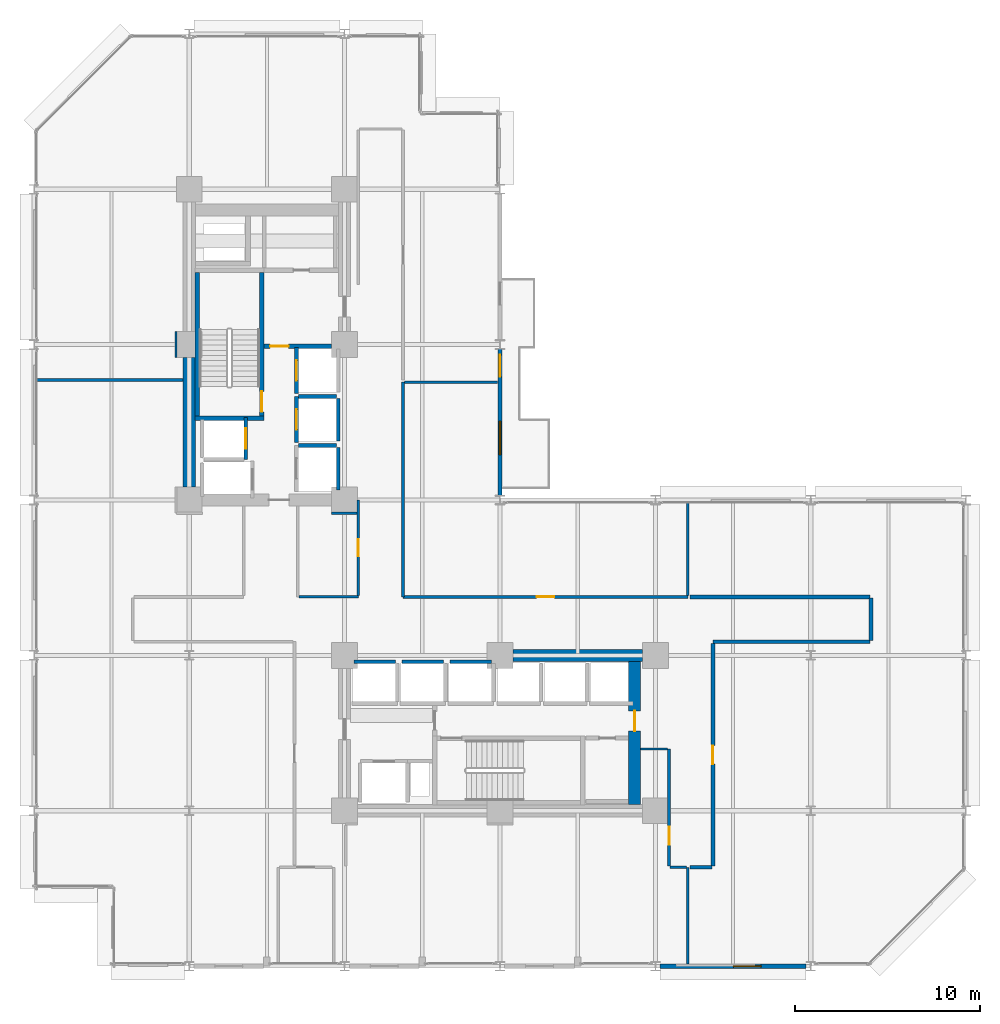
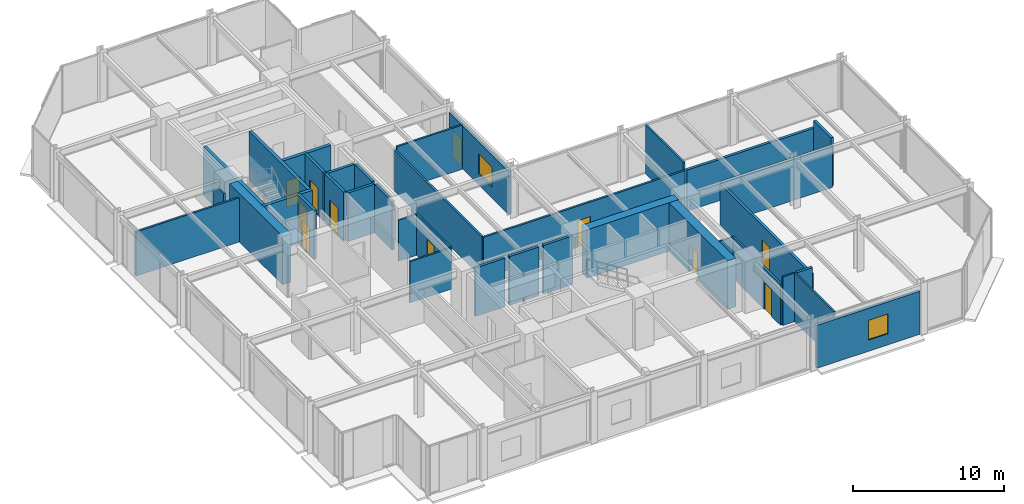
# One storey, part 21 of 25: 37 walls, 11 doors, 2 windows, 13 openings.
"""IFC4 building model written with IfcOpenShell, lengths in metres."""

from ifc_helpers import new_model, si_unit, direction, frame, frame_2d, origin, place, context, subcontext, project, spatial, rectangle, extrude, material, layer, layer_set, type_object, element, fill, save


model = new_model("IFC4")

# Units and contexts
model_context = context("Model", 3, precision=1e-05, world=origin(), true_north=direction((0.0, 1.0)))
body_context = subcontext(model_context, "Body", "Model", "MODEL_VIEW")
ifc_project = project(units=[si_unit("LENGTHUNIT", "METRE"), si_unit("AREAUNIT", "SQUARE_METRE"), si_unit("VOLUMEUNIT", "CUBIC_METRE"), si_unit("PLANEANGLEUNIT", "RADIAN"), si_unit("MASSUNIT", "GRAM", prefix="KILO")], contexts=[model_context])

# Site, building, storey
site_placement = place(None, origin())
site = spatial("IfcSite", under=ifc_project, at=site_placement, CompositionType="ELEMENT")
building_placement = place(site_placement, origin())
building = spatial("IfcBuilding", under=site, at=building_placement, Name="Nerrivon Quay Data Exchange", CompositionType="ELEMENT")
storey_placement = place(building_placement, frame((0.0, 0.0, 24.800048828125)))
storey = spatial("IfcBuildingStorey", under=building, at=storey_placement, Name="L05", CompositionType="ELEMENT", Elevation=24.800048828125)

# Wall, opening, window
ifc_material_1 = material(Name="Architectural terracotta precast concrete N50 (50 MPa)", Category="masonry")
ifc_layer_1 = layer(ifc_material_1, 0.239990234375)
ifc_layer_set_1 = layer_set([ifc_layer_1], Name="Architectural terracotta precast concrete N50 (50 MPa)")
wall_type_1 = type_object("IfcWallType", Name="EW-PREC-240", PredefinedType="STANDARD", material=ifc_layer_set_1)
wall_1_placement = place(storey_placement, frame((41.75, 0.0, 0.0), z_axis=(0.0, 0.0, 1.0), x_axis=(-1.0, 0.0, 0.0)))
wall_1 = element("IfcWall", 1, at=wall_1_placement, inside=storey, type_object=wall_type_1, Name="L05 Podium Precast Spandrel Wall 3", PredefinedType="STANDARD", context=body_context, shape_type="SweptSolid", body=[
    extrude(rectangle(XDim=7.89990234375, YDim=0.239990234375, at=frame_2d((3.949951171875, 0.0))), origin(), (0.0, 0.0, 1.0), 3.470947265625),
])
opening_1_placement = place(wall_1_placement, frame((2.4296875, 0.0, 0.89990234375)))
opening_1 = element("IfcOpeningElement", 2, at=opening_1_placement, cuts=wall_1, Name="Opening WN4", PredefinedType="OPENING", context=body_context, shape_type="SweptSolid", body=[
    extrude(rectangle(XDim=1.5, YDim=1.60009765625, at=frame_2d((0.75, 0.800048828125))), frame((0.0, 0.1298828125, 0.0), z_axis=(0.0, -1.0, 0.0), x_axis=(1.0, 0.0, 0.0)), (0.0, 0.0, 1.0), 0.260009765625),
])
ifc_material_2 = material(Name="Double-glazed low-E solar control glass", Category="glass")
window_type_1 = type_object("IfcWindowType", Name="WIN-W4-1500x1600", PartitioningType="SINGLE_PANEL", PredefinedType="WINDOW", material=ifc_material_2)
window_1_placement = place(opening_1_placement, origin())
window_1 = element("IfcWindow", 3, at=window_1_placement, inside=storey, type_object=window_type_1, Name="L05 Solar Facade Window 3", OverallHeight=1.60009765625, OverallWidth=1.5, PartitioningType="SINGLE_PANEL", PredefinedType="WINDOW", context=body_context, shape_type="SweptSolid", body=[
    extrude(rectangle(XDim=1.5, YDim=1.60009765625, at=frame_2d((0.75, 0.800048828125))), frame((0.0, 0.030029296875, 0.0), z_axis=(0.0, -1.0, 0.0), x_axis=(1.0, 0.0, 0.0)), (0.0, 0.0, 1.0), 0.06005859375),
])
fill(opening_1, window_1)

# Wall, openings, door, window
wall_2_placement = place(storey_placement, frame((25.199951171875, 33.35009765625, 0.0), z_axis=(0.0, 0.0, 1.0), x_axis=(0.0, -1.0, 0.0)))
wall_2 = element("IfcWall", 4, at=wall_2_placement, inside=storey, type_object=wall_type_1, Name="L05 Terrace Host Wall 27", PredefinedType="STANDARD", context=body_context, shape_type="SweptSolid", body=[
    extrude(rectangle(XDim=7.900146484375, YDim=0.239990234375, at=frame_2d((3.9501953125, 0.0))), origin(), (0.0, 0.0, 1.0), 3.470947265625),
])
opening_2_placement = place(wall_2_placement, frame((0.300048828125, 0.0, 0.0)))
opening_2 = element("IfcOpeningElement", 5, at=opening_2_placement, cuts=wall_2, Name="Opening TD1", PredefinedType="OPENING", context=body_context, shape_type="SweptSolid", body=[
    extrude(rectangle(XDim=1.199951171875, YDim=2.199951171875, at=frame_2d((0.60009765625, 1.10009765625))), frame((0.0, 0.1298828125, 0.0), z_axis=(0.0, -1.0, 0.0), x_axis=(1.0, 0.0, 0.0)), (0.0, 0.0, 1.0), 0.260009765625),
])
opening_3_placement = place(wall_2_placement, frame((3.8935546875, 0.0, 0.89990234375)))
opening_3 = element("IfcOpeningElement", 6, at=opening_3_placement, cuts=wall_2, Name="Opening WN2", PredefinedType="OPENING", context=body_context, shape_type="SweptSolid", body=[
    extrude(rectangle(XDim=1.800048828125, YDim=1.60009765625, at=frame_2d((0.89990234375, 0.800048828125))), frame((0.0, 0.1298828125, 0.0), z_axis=(0.0, -1.0, 0.0), x_axis=(1.0, 0.0, 0.0)), (0.0, 0.0, 1.0), 0.260009765625),
])
door_type_1 = type_object("IfcDoorType", Name="DR-TERR-1200x2200", OperationType="NOTDEFINED", PredefinedType="DOOR", material=ifc_material_2)
door_1_placement = place(opening_2_placement, origin())
door_1 = element("IfcDoor", 7, at=door_1_placement, inside=storey, type_object=door_type_1, Name="L05 Outdoor Terrace Access Door 27", OperationType="SINGLE_SWING_RIGHT", OverallHeight=2.199951171875, OverallWidth=1.199951171875, PredefinedType="DOOR", context=body_context, shape_type="SweptSolid", body=[
    extrude(rectangle(XDim=1.199951171875, YDim=2.199951171875, at=frame_2d((0.60009765625, 1.10009765625))), frame((0.0, 0.02490234375, 0.0), z_axis=(0.0, -1.0, 0.0), x_axis=(1.0, 0.0, 0.0)), (0.0, 0.0, 1.0), 0.050048828125),
])
fill(opening_2, door_1)
window_type_2 = type_object("IfcWindowType", Name="WIN-W2-1800x1600", PartitioningType="SINGLE_PANEL", PredefinedType="WINDOW", material=ifc_material_2)
window_2_placement = place(opening_3_placement, origin())
window_2 = element("IfcWindow", 8, at=window_2_placement, inside=storey, type_object=window_type_2, Name="L05 Terrace Side Window 27", OverallHeight=1.60009765625, OverallWidth=1.800048828125, PartitioningType="SINGLE_PANEL", PredefinedType="WINDOW", context=body_context, shape_type="SweptSolid", body=[
    extrude(rectangle(XDim=1.800048828125, YDim=1.60009765625, at=frame_2d((0.89990234375, 0.800048828125))), frame((0.0, 0.030029296875, 0.0), z_axis=(0.0, -1.0, 0.0), x_axis=(1.0, 0.0, 0.0)), (0.0, 0.0, 1.0), 0.06005859375),
])
fill(opening_3, window_2)

# Wall
ifc_material_3 = material(Name="Concrete N80 (80 MPa)", Category="concrete")
ifc_layer_2 = layer(ifc_material_3, 0.64990234375)
ifc_layer_set_2 = layer_set([ifc_layer_2], Name="Concrete N80 (80 MPa)")
wall_type_2 = type_object("IfcWallType", Name="WALL-CW-850", PredefinedType="SHEAR", material=ifc_layer_set_2)
wall_3_placement = place(storey_placement, frame((8.39990234375, 25.89990234375, 0.0), z_axis=(0.0, 0.0, 1.0), x_axis=(0.0, 1.0, 0.0)))
element("IfcWall", 9, at=wall_3_placement, inside=storey, type_object=wall_type_2, Name="L05 West Split-Core Shear Wall WCW-W1", PredefinedType="SHEAR", context=body_context, shape_type="SweptSolid", body=[
    extrude(rectangle(XDim=7.0, YDim=0.64990234375, at=frame_2d((3.5, 0.0))), origin(), (0.0, 0.0, 1.0), 3.925048828125),
])

# Wall, opening, door
wall_4_placement = place(storey_placement, frame((32.47509765625, 8.72509765625, 0.0), z_axis=(0.0, 0.0, 1.0), x_axis=(0.0, 1.0, 0.0)))
wall_4 = element("IfcWall", 10, at=wall_4_placement, inside=storey, type_object=wall_type_2, Name="L05 East Split-Core Shear Wall ECW-E1", PredefinedType="SHEAR", context=body_context, shape_type="SweptSolid", body=[
    extrude(rectangle(XDim=7.75, YDim=0.64990234375, at=frame_2d((3.875, 0.0))), origin(), (0.0, 0.0, 1.0), 3.925048828125),
])
opening_4_placement = place(wall_4_placement, frame((3.97509765625, 0.0, 0.0)))
opening_4 = element("IfcOpeningElement", 11, at=opening_4_placement, cuts=wall_4, Name="Opening FD-120", PredefinedType="OPENING", context=body_context, shape_type="SweptSolid", body=[
    extrude(rectangle(XDim=1.10009765625, YDim=2.14990234375, at=frame_2d((0.550048828125, 1.074951171875))), frame((0.0, 0.3349609375, 0.0), z_axis=(0.0, -1.0, 0.0), x_axis=(1.0, 0.0, 0.0)), (0.0, 0.0, 1.0), 0.669921875),
])
ifc_material_4 = material(Name="Powder-coated galvanized steel sheet", Category="steel")
door_type_2 = type_object("IfcDoorType", Name="DR-FD120-1100", OperationType="NOTDEFINED", PredefinedType="DOOR", material=ifc_material_4)
door_2_placement = place(opening_4_placement, origin())
door_2 = element("IfcDoor", 12, at=door_2_placement, inside=storey, type_object=door_type_2, Name="L05 East Core Lobby Fire Door", OperationType="SINGLE_SWING_RIGHT", OverallHeight=2.14990234375, OverallWidth=1.10009765625, PredefinedType="DOOR", context=body_context, shape_type="SweptSolid", body=[
    extrude(rectangle(XDim=1.10009765625, YDim=2.14990234375, at=frame_2d((0.550048828125, 1.074951171875))), frame((0.0, 0.02490234375, 0.0), z_axis=(0.0, -1.0, 0.0), x_axis=(1.0, 0.0, 0.0)), (0.0, 0.0, 1.0), 0.050048828125),
])
fill(opening_4, door_2)

# Wall
wall_5_placement = place(storey_placement, frame((25.89990234375, 16.800048828125, 0.0), z_axis=(0.0, 0.0, 1.0), x_axis=(1.0, 0.0, 0.0)))
element("IfcWall", 13, at=wall_5_placement, inside=storey, type_object=wall_type_2, Name="L05 East Split-Core Shear Wall ECW-N1", PredefinedType="SHEAR", context=body_context, shape_type="SweptSolid", body=[
    extrude(rectangle(XDim=7.0, YDim=0.64990234375, at=frame_2d((3.5, 0.0))), origin(), (0.0, 0.0, 1.0), 3.925048828125),
])

# Wall, opening, door
ifc_material_5 = material(Name="Gypsum plasterboard on cold-formed framing", Category="gypsum")
ifc_layer_3 = layer(ifc_material_5, 0.199951171875)
ifc_layer_set_3 = layer_set([ifc_layer_3], Name="Gypsum plasterboard on cold-formed framing")
wall_type_3 = type_object("IfcWallType", Name="WALL-FW-200", PredefinedType="PARTITIONING", material=ifc_layer_set_3)
wall_6_placement = place(storey_placement, frame((11.449951171875, 27.39990234375, 0.0), z_axis=(0.0, 0.0, 1.0), x_axis=(0.0, 1.0, 0.0)))
wall_6 = element("IfcWall", 14, at=wall_6_placement, inside=storey, type_object=wall_type_3, Name="L05 Lift Front Wall FFL-1", PredefinedType="PARTITIONING", context=body_context, shape_type="SweptSolid", body=[
    extrude(rectangle(XDim=2.25, YDim=0.199951171875, at=frame_2d((1.125, 0.0))), origin(), (0.0, 0.0, 1.0), 3.925048828125),
])
opening_5_placement = place(wall_6_placement, frame((0.574951171875, 0.0, 0.0)))
opening_5 = element("IfcOpeningElement", 15, at=opening_5_placement, cuts=wall_6, Name="Opening LD-120", PredefinedType="OPENING", context=body_context, shape_type="SweptSolid", body=[
    extrude(rectangle(XDim=1.10009765625, YDim=2.199951171875, at=frame_2d((0.550048828125, 1.10009765625))), frame((0.0, 0.10986328125, 0.0), z_axis=(0.0, -1.0, 0.0), x_axis=(1.0, 0.0, 0.0)), (0.0, 0.0, 1.0), 0.219970703125),
])
door_type_3 = type_object("IfcDoorType", Name="DR-LIFT-LD120", OperationType="DOUBLE_DOOR_SLIDING", PredefinedType="DOOR", material=ifc_material_4)
door_3_placement = place(opening_5_placement, origin())
door_3 = element("IfcDoor", 16, at=door_3_placement, inside=storey, type_object=door_type_3, Name="L05 Lift Landing Sliding Door FFL-1", OperationType="DOUBLE_DOOR_SLIDING", OverallHeight=2.199951171875, OverallWidth=1.10009765625, PredefinedType="DOOR", context=body_context, shape_type="SweptSolid", body=[
    extrude(rectangle(XDim=1.10009765625, YDim=2.199951171875, at=frame_2d((0.550048828125, 1.10009765625))), frame((0.0, 0.02490234375, 0.0), z_axis=(0.0, -1.0, 0.0), x_axis=(1.0, 0.0, 0.0)), (0.0, 0.0, 1.0), 0.050048828125),
])
fill(opening_5, door_3)

# Walls
wall_7_placement = place(storey_placement, frame((16.449951171875, 25.75, 0.0), z_axis=(0.0, 0.0, 1.0), x_axis=(0.0, 1.0, 0.0)))
element("IfcWall", 17, at=wall_7_placement, inside=storey, type_object=wall_type_3, Name="L05 Lift Shaft Wall PL1 EAST", PredefinedType="PARTITIONING", context=body_context, shape_type="SweptSolid", body=[
    extrude(rectangle(XDim=2.300048828125, YDim=0.199951171875, at=frame_2d((1.14990234375, 0.0))), origin(), (0.0, 0.0, 1.0), 3.925048828125),
])
wall_8_placement = place(storey_placement, frame((14.300048828125, 28.14990234375, 0.0), z_axis=(0.0, 0.0, 1.0), x_axis=(1.0, 0.0, 0.0)))
element("IfcWall", 18, at=wall_8_placement, inside=storey, type_object=wall_type_3, Name="L05 Lift Shaft Wall PL1 NORTH", PredefinedType="PARTITIONING", context=body_context, shape_type="SweptSolid", body=[
    extrude(rectangle(XDim=2.050048828125, YDim=0.199951171875, at=frame_2d((1.02490234375, 0.0))), origin(), (0.0, 0.0, 1.0), 3.925048828125),
])

# Wall, opening, door
wall_9_placement = place(storey_placement, frame((14.199951171875, 28.300048828125, 0.0), z_axis=(0.0, 0.0, 1.0), x_axis=(0.0, 1.0, 0.0)))
wall_9 = element("IfcWall", 19, at=wall_9_placement, inside=storey, type_object=wall_type_3, Name="L05 Lift Front Wall PL2", PredefinedType="PARTITIONING", context=body_context, shape_type="SweptSolid", body=[
    extrude(rectangle(XDim=2.5, YDim=0.199951171875, at=frame_2d((1.25, 0.0))), origin(), (0.0, 0.0, 1.0), 3.925048828125),
])
opening_6_placement = place(wall_9_placement, frame((0.699951171875, 0.0, 0.0)))
opening_6 = element("IfcOpeningElement", 20, at=opening_6_placement, cuts=wall_9, Name="Opening LD-120", PredefinedType="OPENING", context=body_context, shape_type="SweptSolid", body=[
    extrude(rectangle(XDim=1.10009765625, YDim=2.199951171875, at=frame_2d((0.550048828125, 1.10009765625))), frame((0.0, 0.10986328125, 0.0), z_axis=(0.0, -1.0, 0.0), x_axis=(1.0, 0.0, 0.0)), (0.0, 0.0, 1.0), 0.219970703125),
])
door_4_placement = place(opening_6_placement, origin())
door_4 = element("IfcDoor", 21, at=door_4_placement, inside=storey, type_object=door_type_3, Name="L05 Lift Landing Sliding Door PL2", OperationType="DOUBLE_DOOR_SLIDING", OverallHeight=2.199951171875, OverallWidth=1.10009765625, PredefinedType="DOOR", context=body_context, shape_type="SweptSolid", body=[
    extrude(rectangle(XDim=1.10009765625, YDim=2.199951171875, at=frame_2d((0.550048828125, 1.10009765625))), frame((0.0, 0.02490234375, 0.0), z_axis=(0.0, -1.0, 0.0), x_axis=(1.0, 0.0, 0.0)), (0.0, 0.0, 1.0), 0.050048828125),
])
fill(opening_6, door_4)

# Walls
wall_10_placement = place(storey_placement, frame((16.449951171875, 28.39990234375, 0.0), z_axis=(0.0, 0.0, 1.0), x_axis=(0.0, 1.0, 0.0)))
element("IfcWall", 22, at=wall_10_placement, inside=storey, type_object=wall_type_3, Name="L05 Lift Shaft Wall PL2 EAST", PredefinedType="PARTITIONING", context=body_context, shape_type="SweptSolid", body=[
    extrude(rectangle(XDim=2.300048828125, YDim=0.199951171875, at=frame_2d((1.14990234375, 0.0))), origin(), (0.0, 0.0, 1.0), 3.925048828125),
])
wall_11_placement = place(storey_placement, frame((14.300048828125, 30.800048828125, 0.0), z_axis=(0.0, 0.0, 1.0), x_axis=(1.0, 0.0, 0.0)))
element("IfcWall", 23, at=wall_11_placement, inside=storey, type_object=wall_type_3, Name="L05 Lift Shaft Wall PL2 NORTH", PredefinedType="PARTITIONING", context=body_context, shape_type="SweptSolid", body=[
    extrude(rectangle(XDim=2.050048828125, YDim=0.199951171875, at=frame_2d((1.02490234375, 0.0))), origin(), (0.0, 0.0, 1.0), 3.925048828125),
])

# Wall, opening, door
wall_12_placement = place(storey_placement, frame((14.199951171875, 30.949951171875, 0.0), z_axis=(0.0, 0.0, 1.0), x_axis=(0.0, 1.0, 0.0)))
wall_12 = element("IfcWall", 24, at=wall_12_placement, inside=storey, type_object=wall_type_3, Name="L05 Lift Front Wall PL3", PredefinedType="PARTITIONING", context=body_context, shape_type="SweptSolid", body=[
    extrude(rectangle(XDim=2.5, YDim=0.199951171875, at=frame_2d((1.25, 0.0))), origin(), (0.0, 0.0, 1.0), 3.925048828125),
])
opening_7_placement = place(wall_12_placement, frame((0.699951171875, 0.0, 0.0)))
opening_7 = element("IfcOpeningElement", 25, at=opening_7_placement, cuts=wall_12, Name="Opening LD-120", PredefinedType="OPENING", context=body_context, shape_type="SweptSolid", body=[
    extrude(rectangle(XDim=1.10009765625, YDim=2.199951171875, at=frame_2d((0.550048828125, 1.10009765625))), frame((0.0, 0.10986328125, 0.0), z_axis=(0.0, -1.0, 0.0), x_axis=(1.0, 0.0, 0.0)), (0.0, 0.0, 1.0), 0.219970703125),
])
door_5_placement = place(opening_7_placement, origin())
door_5 = element("IfcDoor", 26, at=door_5_placement, inside=storey, type_object=door_type_3, Name="L05 Lift Landing Sliding Door PL3", OperationType="DOUBLE_DOOR_SLIDING", OverallHeight=2.199951171875, OverallWidth=1.10009765625, PredefinedType="DOOR", context=body_context, shape_type="SweptSolid", body=[
    extrude(rectangle(XDim=1.10009765625, YDim=2.199951171875, at=frame_2d((0.550048828125, 1.10009765625))), frame((0.0, 0.02490234375, 0.0), z_axis=(0.0, -1.0, 0.0), x_axis=(1.0, 0.0, 0.0)), (0.0, 0.0, 1.0), 0.050048828125),
])
fill(opening_7, door_5)

# Walls
for number, where, z_axis, x_axis, name in (
    (27, (17.300048828125, 16.449951171875, 0.0), (0.0, 0.0, 1.0), (1.0, 0.0, 0.0), "L05 Lift Shaft Wall PL4 NORTH"),
    (28, (19.89990234375, 16.449951171875, 0.0), (0.0, 0.0, 1.0), (1.0, 0.0, 0.0), "L05 Lift Shaft Wall PL5 NORTH"),
    (29, (22.5, 16.449951171875, 0.0), (0.0, 0.0, 1.0), (1.0, 0.0, 0.0), "L05 Lift Shaft Wall PL6 NORTH"),
):
    element("IfcWall", number, at=place(storey_placement, frame(where, z_axis=z_axis, x_axis=x_axis)), inside=storey, type_object=wall_type_3, Name=name, PredefinedType="PARTITIONING", context=body_context, shape_type="SweptSolid", body=[
        extrude(rectangle(XDim=2.25, YDim=0.199951171875, at=frame_2d((1.125, 0.0))), origin(), (0.0, 0.0, 1.0), 3.925048828125),
    ])
wall_13_placement = place(storey_placement, frame((36.64990234375, 5.340087890625, 0.0), z_axis=(0.0, 0.0, 1.0), x_axis=(-1.0, 0.0, 0.0)))
element("IfcWall", 30, at=wall_13_placement, inside=storey, type_object=wall_type_3, Name="L05 Partition Colocation Data Workspace 1", PredefinedType="PARTITIONING", context=body_context, shape_type="SweptSolid", body=[
    extrude(rectangle(XDim=1.16943359375, YDim=0.199951171875, at=frame_2d((0.584716796875, 0.0))), origin(), (0.0, 0.0, 1.0), 3.925048828125),
])
wall_14_placement = place(storey_placement, frame((35.48046875, 19.959716796875, 0.0), z_axis=(0.0, 0.0, 1.0), x_axis=(1.0, 0.0, 0.0)))
element("IfcWall", 31, at=wall_14_placement, inside=storey, type_object=wall_type_3, Name="L05 Partition Colocation Data Workspace 1", PredefinedType="PARTITIONING", context=body_context, shape_type="SweptSolid", body=[
    extrude(rectangle(XDim=9.725341796875, YDim=0.199951171875, at=frame_2d((4.86279296875, 0.0))), origin(), (0.0, 0.0, 1.0), 3.322998046875),
])
wall_15_placement = place(storey_placement, frame((45.260009765625, 19.89990234375, 0.0), z_axis=(0.0, 0.0, 1.0), x_axis=(-0.000105876124, -0.999999994395, 0.0)))
element("IfcWall", 32, at=wall_15_placement, inside=storey, type_object=wall_type_3, Name="L05 Partition Colocation Data Workspace 1", PredefinedType="PARTITIONING", context=body_context, shape_type="SweptSolid", body=[
    extrude(rectangle(XDim=2.305908203125, YDim=0.199951171875, at=frame_2d((1.15283203125, 0.0))), origin(), (0.0, 0.0, 1.0), 3.925048828125),
])
wall_16_placement = place(storey_placement, frame((45.199951171875, 17.5400390625, 0.0), z_axis=(0.0, 0.0, 1.0), x_axis=(-1.0, 0.0, 0.0)))
element("IfcWall", 33, at=wall_16_placement, inside=storey, type_object=wall_type_3, Name="L05 Partition Colocation Data Workspace 1", PredefinedType="PARTITIONING", context=body_context, shape_type="SweptSolid", body=[
    extrude(rectangle(XDim=8.489990234375, YDim=0.199951171875, at=frame_2d((4.2451171875, 0.0))), origin(), (0.0, 0.0, 1.0), 3.322998046875),
])

# Wall, opening, door
wall_17_placement = place(storey_placement, frame((36.7099609375, 17.43603515625, 0.0), z_axis=(0.0, 0.0, 1.0), x_axis=(0.0, -1.0, 0.0)))
wall_17 = element("IfcWall", 34, at=wall_17_placement, inside=storey, type_object=wall_type_3, Name="L05 Partition Colocation Data Workspace 1", PredefinedType="PARTITIONING", context=body_context, shape_type="SweptSolid", body=[
    extrude(rectangle(XDim=12.0361328125, YDim=0.199951171875, at=frame_2d((6.01806640625, 0.0))), origin(), (0.0, 0.0, 1.0), 3.31298828125),
])
opening_8_placement = place(wall_17_placement, frame((5.51806640625, 0.0, 0.0)))
opening_8 = element("IfcOpeningElement", 35, at=opening_8_placement, cuts=wall_17, Name="Opening FD-60", PredefinedType="OPENING", context=body_context, shape_type="SweptSolid", body=[
    extrude(rectangle(XDim=1.0, YDim=2.14990234375, at=frame_2d((0.5, 1.074951171875))), frame((0.0, 0.10986328125, 0.0), z_axis=(0.0, -1.0, 0.0), x_axis=(1.0, 0.0, 0.0)), (0.0, 0.0, 1.0), 0.219970703125),
])
ifc_material_6 = material(Name="Engineered hardwood timber", Category="wood")
door_type_4 = type_object("IfcDoorType", Name="DR-FD60-1000", OperationType="NOTDEFINED", PredefinedType="DOOR", material=ifc_material_6)
door_6_placement = place(opening_8_placement, origin())
door_6 = element("IfcDoor", 36, at=door_6_placement, inside=storey, type_object=door_type_4, Name="L05 Door Colocation Data Workspace 1", OperationType="SINGLE_SWING_LEFT", OverallHeight=2.14990234375, OverallWidth=1.0, PredefinedType="DOOR", context=body_context, shape_type="SweptSolid", body=[
    extrude(rectangle(XDim=1.0, YDim=2.14990234375, at=frame_2d((0.5, 1.074951171875))), frame((0.0, 0.02490234375, 0.0), z_axis=(0.0, -1.0, 0.0), x_axis=(1.0, 0.0, 0.0)), (0.0, 0.0, 1.0), 0.050048828125),
])
fill(opening_8, door_6)

# Walls
ifc_layer_4 = layer(ifc_material_5, 0.1201171875)
ifc_layer_set_4 = layer_set([ifc_layer_4], Name="Gypsum plasterboard on cold-formed framing")
wall_type_4 = type_object("IfcWallType", Name="WALL-PT-120", PredefinedType="PARTITIONING", material=ifc_layer_set_4)
wall_18_placement = place(storey_placement, frame((17.468505859375, 24.48046875, 0.0), z_axis=(0.0, 0.0, 1.0), x_axis=(-0.99999993688, 0.000355302873, 0.0)))
element("IfcWall", 37, at=wall_18_placement, inside=storey, type_object=wall_type_4, Name="L05 Partition Public Washrooms", PredefinedType="PARTITIONING", context=body_context, shape_type="SweptSolid", body=[
    extrude(rectangle(XDim=1.374267578125, YDim=0.1201171875, at=frame_2d((0.68701171875, 0.0))), origin(), (0.0, 0.0, 1.0), 3.322998046875),
])
wall_19_placement = place(storey_placement, frame((35.288818359375, 5.340087890625, 0.0), z_axis=(0.0, 0.0, 1.0), x_axis=(-1.0, 0.0, 0.0)))
element("IfcWall", 38, at=wall_19_placement, inside=storey, type_object=wall_type_4, Name="L05 Partition Technical Library", PredefinedType="PARTITIONING", context=body_context, shape_type="SweptSolid", body=[
    extrude(rectangle(XDim=0.888916015625, YDim=0.1201171875, at=frame_2d((0.4443359375, 0.0))), origin(), (0.0, 0.0, 1.0), 3.925048828125),
])
wall_20_placement = place(storey_placement, frame((34.260986328125, 11.739990234375, 0.0), z_axis=(0.0, 0.0, 1.0), x_axis=(-1.0, 0.0, 0.0)))
element("IfcWall", 39, at=wall_20_placement, inside=storey, type_object=wall_type_4, Name="L05 Partition Technical Library", PredefinedType="PARTITIONING", context=body_context, shape_type="SweptSolid", body=[
    extrude(rectangle(XDim=1.45703125, YDim=0.1201171875, at=frame_2d((0.728515625, 0.0))), origin(), (0.0, 0.0, 1.0), 3.322998046875),
])
wall_21_placement = place(storey_placement, frame((7.680419921875, 32.89599609375, 0.0), z_axis=(0.0, 0.0, 1.0), x_axis=(-0.000347765585, 0.99999993953, 0.0)))
element("IfcWall", 40, at=wall_21_placement, inside=storey, type_object=wall_type_4, Name="L05 Partition Cloud Compute Workspace 1", PredefinedType="PARTITIONING", context=body_context, shape_type="SweptSolid", body=[
    extrude(rectangle(XDim=1.404052734375, YDim=0.1201171875, at=frame_2d((0.7021484375, 0.0))), origin(), (0.0, 0.0, 1.0), 3.31298828125),
])
ifc_layer_5 = layer(ifc_material_5, 0.135009765625)
ifc_layer_set_5 = layer_set([ifc_layer_5], Name="Gypsum plasterboard on cold-formed framing")
wall_type_5 = type_object("IfcWallType", Name="WALL-PT-135", PredefinedType="PARTITIONING", material=ifc_layer_set_5)
wall_22_placement = place(storey_placement, frame((14.33154296875, 19.9599609375, 0.0), z_axis=(0.0, 0.0, 1.0), x_axis=(1.0, 0.0, 0.0)))
element("IfcWall", 41, at=wall_22_placement, inside=storey, type_object=wall_type_5, Name="L05 Partition Public Washrooms", PredefinedType="PARTITIONING", context=body_context, shape_type="SweptSolid", body=[
    extrude(rectangle(XDim=3.20849609375, YDim=0.135009765625, at=frame_2d((1.604248046875, 0.0))), origin(), (0.0, 0.0, 1.0), 3.322998046875),
])

# Wall, opening, door
wall_23_placement = place(storey_placement, frame((17.5400390625, 20.031494140625, 0.0), z_axis=(0.0, 0.0, 1.0), x_axis=(0.0, 1.0, 0.0)))
wall_23 = element("IfcWall", 42, at=wall_23_placement, inside=storey, type_object=wall_type_5, Name="L05 Partition Public Washrooms", PredefinedType="PARTITIONING", context=body_context, shape_type="SweptSolid", body=[
    extrude(rectangle(XDim=5.16845703125, YDim=0.135009765625, at=frame_2d((2.584228515625, 0.0))), origin(), (0.0, 0.0, 1.0), 3.31298828125),
])
opening_9_placement = place(wall_23_placement, frame((2.124267578125, 0.0, 0.0)))
opening_9 = element("IfcOpeningElement", 43, at=opening_9_placement, cuts=wall_23, Name="Opening D-WC", PredefinedType="OPENING", context=body_context, shape_type="SweptSolid", body=[
    extrude(rectangle(XDim=0.919921875, YDim=2.10009765625, at=frame_2d((0.4599609375, 1.050048828125))), frame((0.0, 0.077392578125, 0.0), z_axis=(0.0, -1.0, 0.0), x_axis=(1.0, 0.0, 0.0)), (0.0, 0.0, 1.0), 0.155029296875),
])
door_type_5 = type_object("IfcDoorType", Name="DR-WC-920", OperationType="NOTDEFINED", PredefinedType="DOOR", material=ifc_material_6)
door_7_placement = place(opening_9_placement, origin())
door_7 = element("IfcDoor", 44, at=door_7_placement, inside=storey, type_object=door_type_5, Name="L05 Door Public Washrooms", OperationType="SINGLE_SWING_LEFT", OverallHeight=2.10009765625, OverallWidth=0.919921875, PredefinedType="DOOR", context=body_context, shape_type="SweptSolid", body=[
    extrude(rectangle(XDim=0.919921875, YDim=2.10009765625, at=frame_2d((0.4599609375, 1.050048828125))), frame((0.0, 0.02490234375, 0.0), z_axis=(0.0, -1.0, 0.0), x_axis=(1.0, 0.0, 0.0)), (0.0, 0.0, 1.0), 0.050048828125),
])
fill(opening_9, door_7)

# Walls
wall_24_placement = place(storey_placement, frame((35.3603515625, 20.038818359375, 0.0), z_axis=(0.0, 0.0, 1.0), x_axis=(0.0, 1.0, 0.0)))
element("IfcWall", 45, at=wall_24_placement, inside=storey, type_object=wall_type_5, Name="L05 Partition Staff Pantry", PredefinedType="PARTITIONING", context=body_context, shape_type="SweptSolid", body=[
    extrude(rectangle(XDim=4.9921875, YDim=0.135009765625, at=frame_2d((2.49609375, 0.0))), origin(), (0.0, 0.0, 1.0), 3.925048828125),
])
wall_25_placement = place(storey_placement, frame((25.075927734375, 31.57275390625, 0.0), z_axis=(0.0, 0.0, 1.0), x_axis=(-1.0, 0.0, 0.0)))
element("IfcWall", 46, at=wall_25_placement, inside=storey, type_object=wall_type_5, Name="L05 Partition Staff Pantry", PredefinedType="PARTITIONING", context=body_context, shape_type="SweptSolid", body=[
    extrude(rectangle(XDim=5.036865234375, YDim=0.135009765625, at=frame_2d((2.5185546875, 0.0))), origin(), (0.0, 0.0, 1.0), 3.56591796875),
])
wall_26_placement = place(storey_placement, frame((35.3603515625, 0.1240234375, 0.0), z_axis=(0.0, 0.0, 1.0), x_axis=(0.0, 1.0, 0.0)))
element("IfcWall", 47, at=wall_26_placement, inside=storey, type_object=wall_type_5, Name="L05 Partition Technical Library", PredefinedType="PARTITIONING", context=body_context, shape_type="SweptSolid", body=[
    extrude(rectangle(XDim=5.216064453125, YDim=0.135009765625, at=frame_2d((2.60791015625, 0.0))), origin(), (0.0, 0.0, 1.0), 3.925048828125),
])
ifc_layer_6 = layer(ifc_material_5, 0.14990234375)
ifc_layer_set_6 = layer_set([ifc_layer_6], Name="Gypsum plasterboard on cold-formed framing")
wall_type_6 = type_object("IfcWallType", Name="WALL-PT-150", PredefinedType="PARTITIONING", material=ifc_layer_set_6)
wall_27_placement = place(storey_placement, frame((19.9599609375, 31.57275390625, 0.0), z_axis=(0.0, 0.0, 1.0), x_axis=(0.0, -1.0, 0.0)))
element("IfcWall", 48, at=wall_27_placement, inside=storey, type_object=wall_type_6, Name="L05 Partition Staff Pantry", PredefinedType="PARTITIONING", context=body_context, shape_type="SweptSolid", body=[
    extrude(rectangle(XDim=11.61279296875, YDim=0.14990234375, at=frame_2d((5.806396484375, 0.0))), origin(), (0.0, 0.0, 1.0), 3.31298828125),
])

# Wall, opening, door
wall_28_placement = place(storey_placement, frame((19.9599609375, 19.9599609375, 0.0), z_axis=(0.0, 0.0, 1.0), x_axis=(0.999999999874, -1.5852885e-05, 0.0)))
wall_28 = element("IfcWall", 49, at=wall_28_placement, inside=storey, type_object=wall_type_6, Name="L05 Partition Staff Pantry", PredefinedType="PARTITIONING", context=body_context, shape_type="SweptSolid", body=[
    extrude(rectangle(XDim=15.400390625, YDim=0.14990234375, at=frame_2d((7.7001953125, 0.0))), origin(), (0.0, 0.0, 1.0), 3.322998046875),
])
opening_10_placement = place(wall_28_placement, frame((7.22509765625, 0.0, 0.0)))
opening_10 = element("IfcOpeningElement", 50, at=opening_10_placement, cuts=wall_28, Name="Opening D-01", PredefinedType="OPENING", context=body_context, shape_type="SweptSolid", body=[
    extrude(rectangle(XDim=0.949951171875, YDim=2.14990234375, at=frame_2d((0.47509765625, 1.074951171875))), frame((0.0, 0.0849609375, 0.0), z_axis=(0.0, -1.0, 0.0), x_axis=(1.0, 0.0, 0.0)), (0.0, 0.0, 1.0), 0.169921875),
])
door_type_6 = type_object("IfcDoorType", Name="DR-INT-950", OperationType="NOTDEFINED", PredefinedType="DOOR", material=ifc_material_6)
door_8_placement = place(opening_10_placement, origin())
door_8 = element("IfcDoor", 51, at=door_8_placement, inside=storey, type_object=door_type_6, Name="L05 Door Staff Pantry", OperationType="SINGLE_SWING_RIGHT", OverallHeight=2.14990234375, OverallWidth=0.949951171875, PredefinedType="DOOR", context=body_context, shape_type="SweptSolid", body=[
    extrude(rectangle(XDim=0.949951171875, YDim=2.14990234375, at=frame_2d((0.47509765625, 1.074951171875))), frame((0.0, 0.02490234375, 0.0), z_axis=(0.0, -1.0, 0.0), x_axis=(1.0, 0.0, 0.0)), (0.0, 0.0, 1.0), 0.050048828125),
])
fill(opening_10, door_8)

wall_29_placement = place(storey_placement, frame((34.340087890625, 5.39990234375, 0.0), z_axis=(0.0, 0.0, 1.0), x_axis=(0.0, 1.0, 0.0)))
wall_29 = element("IfcWall", 52, at=wall_29_placement, inside=storey, type_object=wall_type_6, Name="L05 Partition Technical Library", PredefinedType="PARTITIONING", context=body_context, shape_type="SweptSolid", body=[
    extrude(rectangle(XDim=6.340087890625, YDim=0.14990234375, at=frame_2d((3.169921875, 0.0))), origin(), (0.0, 0.0, 1.0), 3.31298828125),
])
opening_11_placement = place(wall_29_placement, frame((1.17333984375, 0.0, 0.0)))
opening_11 = element("IfcOpeningElement", 53, at=opening_11_placement, cuts=wall_29, Name="Opening D-01", PredefinedType="OPENING", context=body_context, shape_type="SweptSolid", body=[
    extrude(rectangle(XDim=0.949951171875, YDim=2.14990234375, at=frame_2d((0.47509765625, 1.074951171875))), frame((0.0, 0.0849609375, 0.0), z_axis=(0.0, -1.0, 0.0), x_axis=(1.0, 0.0, 0.0)), (0.0, 0.0, 1.0), 0.169921875),
])
door_9_placement = place(opening_11_placement, origin())
door_9 = element("IfcDoor", 54, at=door_9_placement, inside=storey, type_object=door_type_6, Name="L05 Door Technical Library", OperationType="SINGLE_SWING_LEFT", OverallHeight=2.14990234375, OverallWidth=0.949951171875, PredefinedType="DOOR", context=body_context, shape_type="SweptSolid", body=[
    extrude(rectangle(XDim=0.949951171875, YDim=2.14990234375, at=frame_2d((0.47509765625, 1.074951171875))), frame((0.0, 0.02490234375, 0.0), z_axis=(0.0, -1.0, 0.0), x_axis=(1.0, 0.0, 0.0)), (0.0, 0.0, 1.0), 0.050048828125),
])
fill(opening_11, door_9)

# Walls
wall_30_placement = place(storey_placement, frame((0.1689453125, 31.69287109375, 0.0), z_axis=(0.0, 0.0, 1.0), x_axis=(1.0, 0.0, 0.0)))
element("IfcWall", 55, at=wall_30_placement, inside=storey, type_object=wall_type_6, Name="L05 Partition Cloud Compute Workspace 1", PredefinedType="PARTITIONING", context=body_context, shape_type="SweptSolid", body=[
    extrude(rectangle(XDim=7.902099609375, YDim=0.14990234375, at=frame_2d((3.951171875, 0.0))), origin(), (0.0, 0.0, 1.0), 3.56591796875),
])
ifc_material_7 = material(Name="Concrete N50 (50 MPa)", Category="concrete")
ifc_layer_7 = layer(ifc_material_7, 0.25)
ifc_layer_set_7 = layer_set([ifc_layer_7], Name="Concrete N50 (50 MPa)")
wall_type_7 = type_object("IfcWallType", Name="WALL-SW-250", PredefinedType="SHEAR", material=ifc_layer_set_7)
wall_31_placement = place(storey_placement, frame((12.449951171875, 29.625, 0.0), z_axis=(0.0, 0.0, 1.0), x_axis=(-1.0, 0.0, 0.0)))
element("IfcWall", 56, at=wall_31_placement, inside=storey, type_object=wall_type_7, Name="L05 ST01 Structural Stair Core Wall NEAR", PredefinedType="SHEAR", context=body_context, shape_type="SweptSolid", body=[
    extrude(rectangle(XDim=3.75, YDim=0.25, at=frame_2d((1.875, 0.0))), origin(), (0.0, 0.0, 1.0), 3.925048828125),
])

# Wall, opening, door
wall_32_placement = place(storey_placement, frame((12.324951171875, 29.75, 0.0), z_axis=(0.0, 0.0, 1.0), x_axis=(0.0, 1.0, 0.0)))
wall_32 = element("IfcWall", 57, at=wall_32_placement, inside=storey, type_object=wall_type_7, Name="L05 ST01 Structural Stair Core Wall LEFT", PredefinedType="SHEAR", context=body_context, shape_type="SweptSolid", body=[
    extrude(rectangle(XDim=7.75, YDim=0.25, at=frame_2d((3.875, 0.0))), origin(), (0.0, 0.0, 1.0), 3.925048828125),
])
opening_12_placement = place(wall_32_placement, frame((0.219970703125, 0.0, 0.0)))
opening_12 = element("IfcOpeningElement", 58, at=opening_12_placement, cuts=wall_32, Name="Opening FD-120", PredefinedType="OPENING", context=body_context, shape_type="SweptSolid", body=[
    extrude(rectangle(XDim=1.10009765625, YDim=2.14990234375, at=frame_2d((0.550048828125, 1.074951171875))), frame((0.0, 0.135009765625, 0.0), z_axis=(0.0, -1.0, 0.0), x_axis=(1.0, 0.0, 0.0)), (0.0, 0.0, 1.0), 0.27001953125),
])
door_10_placement = place(opening_12_placement, origin())
door_10 = element("IfcDoor", 59, at=door_10_placement, inside=storey, type_object=door_type_2, Name="L05 Protected Stair Door ST01", OperationType="SINGLE_SWING_RIGHT", OverallHeight=2.14990234375, OverallWidth=1.10009765625, PredefinedType="DOOR", context=body_context, shape_type="SweptSolid", body=[
    extrude(rectangle(XDim=1.10009765625, YDim=2.14990234375, at=frame_2d((0.550048828125, 1.074951171875))), frame((0.0, 0.02490234375, 0.0), z_axis=(0.0, -1.0, 0.0), x_axis=(1.0, 0.0, 0.0)), (0.0, 0.0, 1.0), 0.050048828125),
])
fill(opening_12, door_10)

# Wall
wall_33_placement = place(storey_placement, frame((8.824951171875, 29.75, 0.0), z_axis=(0.0, 0.0, 1.0), x_axis=(0.0, 1.0, 0.0)))
element("IfcWall", 60, at=wall_33_placement, inside=storey, type_object=wall_type_7, Name="L05 ST01 Structural Stair Core Wall RIGHT", PredefinedType="SHEAR", context=body_context, shape_type="SweptSolid", body=[
    extrude(rectangle(XDim=7.75, YDim=0.25, at=frame_2d((3.875, 0.0))), origin(), (0.0, 0.0, 1.0), 3.925048828125),
])

# Wall, opening, door
wall_34_placement = place(storey_placement, frame((12.449951171875, 33.52001953125, 0.0), z_axis=(0.0, 0.0, 1.0), x_axis=(1.0, 0.0, 0.0)))
wall_34 = element("IfcWall", 61, at=wall_34_placement, inside=storey, type_object=wall_type_7, Name="L05 West Lobby Smoke-Stop Wall", PredefinedType="SHEAR", context=body_context, shape_type="SweptSolid", body=[
    extrude(rectangle(XDim=3.650146484375, YDim=0.25, at=frame_2d((1.8251953125, 0.0))), origin(), (0.0, 0.0, 1.0), 3.925048828125),
])
opening_13_placement = place(wall_34_placement, frame((0.320068359375, 0.0, 0.0)))
opening_13 = element("IfcOpeningElement", 62, at=opening_13_placement, cuts=wall_34, Name="Opening FD-60", PredefinedType="OPENING", context=body_context, shape_type="SweptSolid", body=[
    extrude(rectangle(XDim=1.0, YDim=2.14990234375, at=frame_2d((0.5, 1.074951171875))), frame((0.0, 0.135009765625, 0.0), z_axis=(0.0, -1.0, 0.0), x_axis=(1.0, 0.0, 0.0)), (0.0, 0.0, 1.0), 0.27001953125),
])
door_11_placement = place(opening_13_placement, origin())
door_11 = element("IfcDoor", 63, at=door_11_placement, inside=storey, type_object=door_type_4, Name="L05 West Firefighting Lobby Fire Door", OperationType="SINGLE_SWING_RIGHT", OverallHeight=2.14990234375, OverallWidth=1.0, PredefinedType="DOOR", context=body_context, shape_type="SweptSolid", body=[
    extrude(rectangle(XDim=1.0, YDim=2.14990234375, at=frame_2d((0.5, 1.074951171875))), frame((0.0, 0.02490234375, 0.0), z_axis=(0.0, -1.0, 0.0), x_axis=(1.0, 0.0, 0.0)), (0.0, 0.0, 1.0), 0.050048828125),
])
fill(opening_13, door_11)

save(model, "model.ifc")
